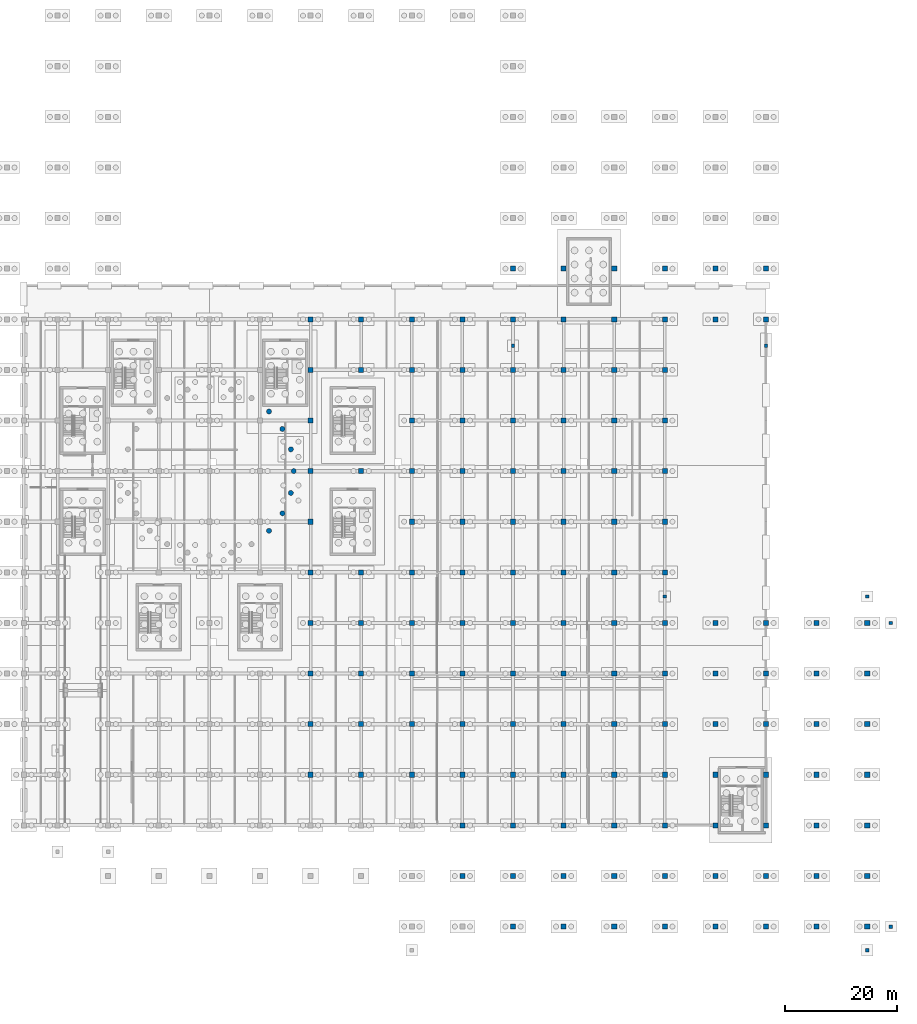
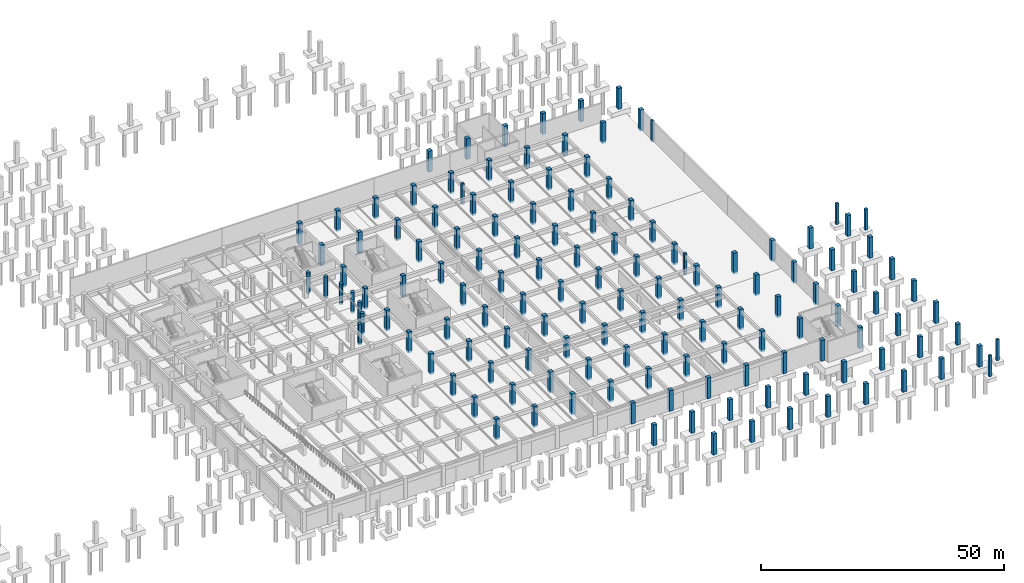
# One storey, part 11 of 27: 142 columns.
"""IFC4 building model written with IfcOpenShell, lengths in metres."""

from ifc_helpers import new_model, si_unit, direction, frame, origin, origin_2d, place, context, subcontext, project, spatial, rectangle, circle, extrude, material, material_profile, profile_set, type_object, element, save


model = new_model("IFC4")

# Units and contexts
model_context = context("Model", 3, precision=1e-05, world=origin(), true_north=direction((0.0, 1.0)))
body_context = subcontext(model_context, "Body", "Model", "MODEL_VIEW")
ifc_project = project(units=[si_unit("LENGTHUNIT", "METRE"), si_unit("AREAUNIT", "SQUARE_METRE"), si_unit("VOLUMEUNIT", "CUBIC_METRE"), si_unit("PLANEANGLEUNIT", "RADIAN"), si_unit("MASSUNIT", "GRAM", prefix="KILO")], contexts=[model_context])

# Site, building, storey
site_placement = place(None, origin())
site = spatial("IfcSite", under=ifc_project, at=site_placement, CompositionType="ELEMENT")
building_placement = place(site_placement, origin())
building = spatial("IfcBuilding", under=site, at=building_placement, Name="Dornveld Trade and Exhibition Forum", CompositionType="ELEMENT")
storey_placement = place(building_placement, frame((0.0, 0.0, -4.800048828125)))
storey = spatial("IfcBuildingStorey", under=building, at=storey_placement, Name="B1", CompositionType="ELEMENT", Elevation=-4.800048828125)

# Columns
ifc_material_1 = material(Name="Precast concrete C50/60", Category="concrete")
ifc_material_profile_1 = material_profile(ifc_material_1, circle(Radius=0.449951171875, at=origin_2d()), Name="PC-COL D900")
ifc_profile_set_1 = profile_set([ifc_material_profile_1], Name="Precast concrete C50/60")
column_type_1 = type_object("IfcColumnType", Name="COL-DISC-D900", PredefinedType="COLUMN", material=ifc_profile_set_1)
for number, where, z_axis, x_axis, name in (
    (1, (127.60693359375, 70.39306640625, -0.449951171875), (0.0, 0.0, 1.0), (1.0, 0.0, 0.0), "B1 column (127.6, 70.4)"),
    (2, (127.60693359375, 91.60693359375, -0.449951171875), (0.0, 0.0, 1.0), (1.0, 0.0, 0.0), "B1 column (127.6, 91.6)"),
    (3, (129.989990234375, 73.5, -0.449951171875), (0.0, 0.0, 1.0), (1.0, 0.0, 0.0), "B1 column (130.0, 73.5)"),
    (4, (129.989990234375, 88.5, -0.449951171875), (0.0, 0.0, 1.0), (1.0, 0.0, 0.0), "B1 column (130.0, 88.5)"),
    (5, (131.489013671875, 77.117919921875, -0.449951171875), (0.0, 0.0, 1.0), (1.0, 0.0, 0.0), "B1 column (131.5, 77.1)"),
    (6, (131.489013671875, 84.882080078125, -0.449951171875), (0.0, 0.0, 1.0), (1.0, 0.0, 0.0), "B1 column (131.5, 84.9)"),
    (7, (132.0, 81.0, -0.449951171875), (0.0, 0.0, 1.0), (1.0, 0.0, 0.0), "B1 column (132.0, 81.0)"),
):
    element("IfcColumn", number, at=place(storey_placement, frame(where, z_axis=z_axis, x_axis=x_axis)), inside=storey, type_object=column_type_1, Name=name, PredefinedType="COLUMN", context=body_context, shape_type="SweptSolid", body=[
        extrude(circle(Radius=0.449951171875, at=origin_2d()), origin(), (0.0, 0.0, 1.0), 5.25),
    ])
ifc_material_2 = material(Name="Precast concrete C50/60", Category="concrete")
ifc_material_profile_2 = material_profile(ifc_material_2, rectangle(XDim=0.60009765625, YDim=0.60009765625, at=origin_2d()), Name="PC-COL 600x600")
ifc_profile_set_2 = profile_set([ifc_material_profile_2], Name="Precast concrete C50/60")
column_type_2 = type_object("IfcColumnType", Name="COL-PC600", PredefinedType="COLUMN", material=ifc_profile_set_2)
for number, where, z_axis, x_axis, name in (
    (8, (234.0, -4.199951171875, -0.449951171875), (0.0, 0.0, 1.0), (1.0, 0.0, 0.0), "Paving edge support pier 8"),
    (9, (238.199951171875, 0.0, -0.449951171875), (0.0, 0.0, 1.0), (1.0, 0.0, 0.0), "Paving edge support pier 9"),
    (10, (238.199951171875, 54.0, -0.449951171875), (0.0, 0.0, 1.0), (1.0, 0.0, 0.0), "Paving edge support pier 10"),
    (11, (198.0, 58.699951171875, -0.449951171875), (0.0, 0.0, 1.0), (1.0, 0.0, 0.0), "Paving edge support pier 11"),
    (12, (234.0, 58.699951171875, -0.449951171875), (0.0, 0.0, 1.0), (1.0, 0.0, 0.0), "Paving edge support pier 12"),
    (13, (171.0, 103.300048828125, -0.449951171875), (0.0, 0.0, 1.0), (1.0, 0.0, 0.0), "Paving edge support pier 13"),
    (14, (216.0, 103.300048828125, -0.449951171875), (0.0, 0.0, 1.0), (1.0, 0.0, 0.0), "Paving edge support pier 14"),
):
    element("IfcColumn", number, at=place(storey_placement, frame(where, z_axis=z_axis, x_axis=x_axis)), inside=storey, type_object=column_type_2, Name=name, PredefinedType="COLUMN", context=body_context, shape_type="SweptSolid", body=[
        extrude(rectangle(XDim=0.60009765625, YDim=0.60009765625, at=origin_2d()), origin(), (0.0, 0.0, 1.0), 5.25),
    ])
ifc_material_3 = material(Name="Precast concrete C50/60", Category="concrete")
ifc_material_profile_3 = material_profile(ifc_material_3, rectangle(XDim=0.89990234375, YDim=0.89990234375, at=origin_2d()), Name="PC-COL 900x900")
ifc_profile_set_3 = profile_set([ifc_material_profile_3], Name="Precast concrete C50/60")
column_type_3 = type_object("IfcColumnType", Name="COL-PC900", PredefinedType="COLUMN", material=ifc_profile_set_3)
for number, where, z_axis, x_axis, name in (
    (15, (135.0, 27.0, -0.449951171875), (0.0, 0.0, 1.0), (1.0, 0.0, 0.0), "B1 column (135.0, 27.0)"),
    (16, (135.0, 36.0, -0.449951171875), (0.0, 0.0, 1.0), (1.0, 0.0, 0.0), "B1 column (135.0, 36.0)"),
    (17, (135.0, 45.0, -0.449951171875), (0.0, 0.0, 1.0), (1.0, 0.0, 0.0), "B1 column (135.0, 45.0)"),
    (18, (135.0, 54.0, -0.449951171875), (0.0, 0.0, 1.0), (1.0, 0.0, 0.0), "B1 column (135.0, 54.0)"),
    (19, (135.0, 63.0, -0.449951171875), (0.0, 0.0, 1.0), (1.0, 0.0, 0.0), "B1 column (135.0, 63.0)"),
    (20, (135.0, 72.0, -0.449951171875), (0.0, 0.0, 1.0), (1.0, 0.0, 0.0), "B1 column (135.0, 72.0)"),
    (21, (135.0, 81.0, -0.449951171875), (0.0, 0.0, 1.0), (1.0, 0.0, 0.0), "B1 column (135.0, 81.0)"),
    (22, (135.0, 90.0, -0.449951171875), (0.0, 0.0, 1.0), (1.0, 0.0, 0.0), "B1 column (135.0, 90.0)"),
    (23, (135.0, 99.0, -0.449951171875), (0.0, 0.0, 1.0), (1.0, 0.0, 0.0), "B1 column (135.0, 99.0)"),
    (24, (135.0, 108.0, -0.449951171875), (0.0, 0.0, 1.0), (1.0, 0.0, 0.0), "B1 column (135.0, 108.0)"),
    (25, (144.0, 27.0, -0.449951171875), (0.0, 0.0, 1.0), (1.0, 0.0, 0.0), "B1 column (144.0, 27.0)"),
    (26, (144.0, 36.0, -0.449951171875), (0.0, 0.0, 1.0), (1.0, 0.0, 0.0), "B1 column (144.0, 36.0)"),
    (27, (144.0, 45.0, -0.449951171875), (0.0, 0.0, 1.0), (1.0, 0.0, 0.0), "B1 column (144.0, 45.0)"),
    (28, (144.0, 54.0, -0.449951171875), (0.0, 0.0, 1.0), (1.0, 0.0, 0.0), "B1 column (144.0, 54.0)"),
    (29, (144.0, 63.0, -0.449951171875), (0.0, 0.0, 1.0), (1.0, 0.0, 0.0), "B1 column (144.0, 63.0)"),
    (30, (144.0, 81.0, -0.449951171875), (0.0, 0.0, 1.0), (1.0, 0.0, 0.0), "B1 column (144.0, 81.0)"),
    (31, (144.0, 99.0, -0.449951171875), (0.0, 0.0, 1.0), (1.0, 0.0, 0.0), "B1 column (144.0, 99.0)"),
    (32, (144.0, 108.0, -0.449951171875), (0.0, 0.0, 1.0), (1.0, 0.0, 0.0), "B1 column (144.0, 108.0)"),
    (33, (153.0, 27.0, -0.449951171875), (0.0, 0.0, 1.0), (1.0, 0.0, 0.0), "B1 column (153.0, 27.0)"),
    (34, (153.0, 36.0, -0.449951171875), (0.0, 0.0, 1.0), (1.0, 0.0, 0.0), "B1 column (153.0, 36.0)"),
    (35, (153.0, 45.0, -0.449951171875), (0.0, 0.0, 1.0), (1.0, 0.0, 0.0), "B1 column (153.0, 45.0)"),
    (36, (153.0, 54.0, -0.449951171875), (0.0, 0.0, 1.0), (1.0, 0.0, 0.0), "B1 column (153.0, 54.0)"),
    (37, (153.0, 63.0, -0.449951171875), (0.0, 0.0, 1.0), (1.0, 0.0, 0.0), "B1 column (153.0, 63.0)"),
    (38, (153.0, 72.0, -0.449951171875), (0.0, 0.0, 1.0), (1.0, 0.0, 0.0), "B1 column (153.0, 72.0)"),
    (39, (153.0, 81.0, -0.449951171875), (0.0, 0.0, 1.0), (1.0, 0.0, 0.0), "B1 column (153.0, 81.0)"),
    (40, (153.0, 90.0, -0.449951171875), (0.0, 0.0, 1.0), (1.0, 0.0, 0.0), "B1 column (153.0, 90.0)"),
    (41, (153.0, 99.0, -0.449951171875), (0.0, 0.0, 1.0), (1.0, 0.0, 0.0), "B1 column (153.0, 99.0)"),
    (42, (153.0, 108.0, -0.449951171875), (0.0, 0.0, 1.0), (1.0, 0.0, 0.0), "B1 column (153.0, 108.0)"),
    (43, (162.0, 9.0, -0.449951171875), (0.0, 0.0, 1.0), (1.0, 0.0, 0.0), "B1 column (162.0, 9.0)"),
    (44, (162.0, 18.0, -0.449951171875), (0.0, 0.0, 1.0), (1.0, 0.0, 0.0), "B1 column (162.0, 18.0)"),
    (45, (162.0, 27.0, -0.449951171875), (0.0, 0.0, 1.0), (1.0, 0.0, 0.0), "B1 column (162.0, 27.0)"),
    (46, (162.0, 36.0, -0.449951171875), (0.0, 0.0, 1.0), (1.0, 0.0, 0.0), "B1 column (162.0, 36.0)"),
    (47, (162.0, 45.0, -0.449951171875), (0.0, 0.0, 1.0), (1.0, 0.0, 0.0), "B1 column (162.0, 45.0)"),
    (48, (162.0, 54.0, -0.449951171875), (0.0, 0.0, 1.0), (1.0, 0.0, 0.0), "B1 column (162.0, 54.0)"),
    (49, (162.0, 63.0, -0.449951171875), (0.0, 0.0, 1.0), (1.0, 0.0, 0.0), "B1 column (162.0, 63.0)"),
    (50, (162.0, 72.0, -0.449951171875), (0.0, 0.0, 1.0), (1.0, 0.0, 0.0), "B1 column (162.0, 72.0)"),
    (51, (162.0, 81.0, -0.449951171875), (0.0, 0.0, 1.0), (1.0, 0.0, 0.0), "B1 column (162.0, 81.0)"),
    (52, (162.0, 90.0, -0.449951171875), (0.0, 0.0, 1.0), (1.0, 0.0, 0.0), "B1 column (162.0, 90.0)"),
    (53, (162.0, 99.0, -0.449951171875), (0.0, 0.0, 1.0), (1.0, 0.0, 0.0), "B1 column (162.0, 99.0)"),
    (54, (162.0, 108.0, -0.449951171875), (0.0, 0.0, 1.0), (1.0, 0.0, 0.0), "B1 column (162.0, 108.0)"),
    (55, (171.0, 0.0, -0.449951171875), (0.0, 0.0, 1.0), (1.0, 0.0, 0.0), "B1 column (171.0, 0.0)"),
    (56, (171.0, 9.0, -0.449951171875), (0.0, 0.0, 1.0), (1.0, 0.0, 0.0), "B1 column (171.0, 9.0)"),
    (57, (171.0, 18.0, -0.449951171875), (0.0, 0.0, 1.0), (1.0, 0.0, 0.0), "B1 column (171.0, 18.0)"),
    (58, (171.0, 27.0, -0.449951171875), (0.0, 0.0, 1.0), (1.0, 0.0, 0.0), "B1 column (171.0, 27.0)"),
    (59, (171.0, 36.0, -0.449951171875), (0.0, 0.0, 1.0), (1.0, 0.0, 0.0), "B1 column (171.0, 36.0)"),
    (60, (171.0, 45.0, -0.449951171875), (0.0, 0.0, 1.0), (1.0, 0.0, 0.0), "B1 column (171.0, 45.0)"),
    (61, (171.0, 54.0, -0.449951171875), (0.0, 0.0, 1.0), (1.0, 0.0, 0.0), "B1 column (171.0, 54.0)"),
    (62, (171.0, 63.0, -0.449951171875), (0.0, 0.0, 1.0), (1.0, 0.0, 0.0), "B1 column (171.0, 63.0)"),
    (63, (171.0, 72.0, -0.449951171875), (0.0, 0.0, 1.0), (1.0, 0.0, 0.0), "B1 column (171.0, 72.0)"),
    (64, (171.0, 81.0, -0.449951171875), (0.0, 0.0, 1.0), (1.0, 0.0, 0.0), "B1 column (171.0, 81.0)"),
    (65, (171.0, 90.0, -0.449951171875), (0.0, 0.0, 1.0), (1.0, 0.0, 0.0), "B1 column (171.0, 90.0)"),
    (66, (171.0, 99.0, -0.449951171875), (0.0, 0.0, 1.0), (1.0, 0.0, 0.0), "B1 column (171.0, 99.0)"),
    (67, (171.0, 108.0, -0.449951171875), (0.0, 0.0, 1.0), (1.0, 0.0, 0.0), "B1 column (171.0, 108.0)"),
    (68, (171.0, 117.0, -0.449951171875), (0.0, 0.0, 1.0), (1.0, 0.0, 0.0), "B1 column (171.0, 117.0)"),
    (69, (180.0, 0.0, -0.449951171875), (0.0, 0.0, 1.0), (1.0, 0.0, 0.0), "B1 column (180.0, 0.0)"),
    (70, (180.0, 9.0, -0.449951171875), (0.0, 0.0, 1.0), (1.0, 0.0, 0.0), "B1 column (180.0, 9.0)"),
    (71, (180.0, 18.0, -0.449951171875), (0.0, 0.0, 1.0), (1.0, 0.0, 0.0), "B1 column (180.0, 18.0)"),
    (72, (180.0, 27.0, -0.449951171875), (0.0, 0.0, 1.0), (1.0, 0.0, 0.0), "B1 column (180.0, 27.0)"),
    (73, (180.0, 36.0, -0.449951171875), (0.0, 0.0, 1.0), (1.0, 0.0, 0.0), "B1 column (180.0, 36.0)"),
    (74, (180.0, 45.0, -0.449951171875), (0.0, 0.0, 1.0), (1.0, 0.0, 0.0), "B1 column (180.0, 45.0)"),
    (75, (180.0, 54.0, -0.449951171875), (0.0, 0.0, 1.0), (1.0, 0.0, 0.0), "B1 column (180.0, 54.0)"),
    (76, (180.0, 63.0, -0.449951171875), (0.0, 0.0, 1.0), (1.0, 0.0, 0.0), "B1 column (180.0, 63.0)"),
    (77, (180.0, 72.0, -0.449951171875), (0.0, 0.0, 1.0), (1.0, 0.0, 0.0), "B1 column (180.0, 72.0)"),
    (78, (180.0, 81.0, -0.449951171875), (0.0, 0.0, 1.0), (1.0, 0.0, 0.0), "B1 column (180.0, 81.0)"),
    (79, (180.0, 90.0, -0.449951171875), (0.0, 0.0, 1.0), (1.0, 0.0, 0.0), "B1 column (180.0, 90.0)"),
    (80, (180.0, 99.0, -0.449951171875), (0.0, 0.0, 1.0), (1.0, 0.0, 0.0), "B1 column (180.0, 99.0)"),
    (81, (180.0, 108.0, -0.449951171875), (0.0, 0.0, 1.0), (1.0, 0.0, 0.0), "B1 column (180.0, 108.0)"),
    (82, (180.0, 117.0, -0.449951171875), (0.0, 0.0, 1.0), (1.0, 0.0, 0.0), "B1 column (180.0, 117.0)"),
    (83, (189.0, 0.0, -0.449951171875), (0.0, 0.0, 1.0), (1.0, 0.0, 0.0), "B1 column (189.0, 0.0)"),
    (84, (189.0, 9.0, -0.449951171875), (0.0, 0.0, 1.0), (1.0, 0.0, 0.0), "B1 column (189.0, 9.0)"),
    (85, (189.0, 18.0, -0.449951171875), (0.0, 0.0, 1.0), (1.0, 0.0, 0.0), "B1 column (189.0, 18.0)"),
    (86, (189.0, 27.0, -0.449951171875), (0.0, 0.0, 1.0), (1.0, 0.0, 0.0), "B1 column (189.0, 27.0)"),
    (87, (189.0, 36.0, -0.449951171875), (0.0, 0.0, 1.0), (1.0, 0.0, 0.0), "B1 column (189.0, 36.0)"),
    (88, (189.0, 45.0, -0.449951171875), (0.0, 0.0, 1.0), (1.0, 0.0, 0.0), "B1 column (189.0, 45.0)"),
    (89, (189.0, 54.0, -0.449951171875), (0.0, 0.0, 1.0), (1.0, 0.0, 0.0), "B1 column (189.0, 54.0)"),
    (90, (189.0, 63.0, -0.449951171875), (0.0, 0.0, 1.0), (1.0, 0.0, 0.0), "B1 column (189.0, 63.0)"),
    (91, (189.0, 72.0, -0.449951171875), (0.0, 0.0, 1.0), (1.0, 0.0, 0.0), "B1 column (189.0, 72.0)"),
    (92, (189.0, 81.0, -0.449951171875), (0.0, 0.0, 1.0), (1.0, 0.0, 0.0), "B1 column (189.0, 81.0)"),
    (93, (189.0, 90.0, -0.449951171875), (0.0, 0.0, 1.0), (1.0, 0.0, 0.0), "B1 column (189.0, 90.0)"),
    (94, (189.0, 99.0, -0.449951171875), (0.0, 0.0, 1.0), (1.0, 0.0, 0.0), "B1 column (189.0, 99.0)"),
    (95, (189.0, 108.0, -0.449951171875), (0.0, 0.0, 1.0), (1.0, 0.0, 0.0), "B1 column (189.0, 108.0)"),
    (96, (189.0, 117.0, -0.449951171875), (0.0, 0.0, 1.0), (1.0, 0.0, 0.0), "B1 column (189.0, 117.0)"),
    (97, (198.0, 0.0, -0.449951171875), (0.0, 0.0, 1.0), (1.0, 0.0, 0.0), "B1 column (198.0, 0.0)"),
    (98, (198.0, 9.0, -0.449951171875), (0.0, 0.0, 1.0), (1.0, 0.0, 0.0), "B1 column (198.0, 9.0)"),
    (99, (198.0, 18.0, -0.449951171875), (0.0, 0.0, 1.0), (1.0, 0.0, 0.0), "B1 column (198.0, 18.0)"),
    (100, (198.0, 27.0, -0.449951171875), (0.0, 0.0, 1.0), (1.0, 0.0, 0.0), "B1 column (198.0, 27.0)"),
    (101, (198.0, 36.0, -0.449951171875), (0.0, 0.0, 1.0), (1.0, 0.0, 0.0), "B1 column (198.0, 36.0)"),
    (102, (198.0, 45.0, -0.449951171875), (0.0, 0.0, 1.0), (1.0, 0.0, 0.0), "B1 column (198.0, 45.0)"),
    (103, (198.0, 54.0, -0.449951171875), (0.0, 0.0, 1.0), (1.0, 0.0, 0.0), "B1 column (198.0, 54.0)"),
    (104, (198.0, 63.0, -0.449951171875), (0.0, 0.0, 1.0), (1.0, 0.0, 0.0), "B1 column (198.0, 63.0)"),
    (105, (198.0, 72.0, -0.449951171875), (0.0, 0.0, 1.0), (1.0, 0.0, 0.0), "B1 column (198.0, 72.0)"),
    (106, (198.0, 81.0, -0.449951171875), (0.0, 0.0, 1.0), (1.0, 0.0, 0.0), "B1 column (198.0, 81.0)"),
    (107, (198.0, 90.0, -0.449951171875), (0.0, 0.0, 1.0), (1.0, 0.0, 0.0), "B1 column (198.0, 90.0)"),
    (108, (198.0, 99.0, -0.449951171875), (0.0, 0.0, 1.0), (1.0, 0.0, 0.0), "B1 column (198.0, 99.0)"),
    (109, (198.0, 108.0, -0.449951171875), (0.0, 0.0, 1.0), (1.0, 0.0, 0.0), "B1 column (198.0, 108.0)"),
    (110, (198.0, 117.0, -0.449951171875), (0.0, 0.0, 1.0), (1.0, 0.0, 0.0), "B1 column (198.0, 117.0)"),
    (111, (207.0, 0.0, -0.449951171875), (0.0, 0.0, 1.0), (1.0, 0.0, 0.0), "B1 column (207.0, 0.0)"),
    (112, (207.0, 9.0, -0.449951171875), (0.0, 0.0, 1.0), (1.0, 0.0, 0.0), "B1 column (207.0, 9.0)"),
    (113, (207.0, 18.0, -0.449951171875), (0.0, 0.0, 1.0), (1.0, 0.0, 0.0), "B1 column (207.0, 18.0)"),
    (114, (207.0, 27.0, -0.449951171875), (0.0, 0.0, 1.0), (1.0, 0.0, 0.0), "B1 column (207.0, 27.0)"),
    (115, (207.0, 36.0, -0.449951171875), (0.0, 0.0, 1.0), (1.0, 0.0, 0.0), "B1 column (207.0, 36.0)"),
    (116, (207.0, 45.0, -0.449951171875), (0.0, 0.0, 1.0), (1.0, 0.0, 0.0), "B1 column (207.0, 45.0)"),
    (117, (207.0, 54.0, -0.449951171875), (0.0, 0.0, 1.0), (1.0, 0.0, 0.0), "B1 column (207.0, 54.0)"),
    (118, (207.0, 108.0, -0.449951171875), (0.0, 0.0, 1.0), (1.0, 0.0, 0.0), "B1 column (207.0, 108.0)"),
    (119, (207.0, 117.0, -0.449951171875), (0.0, 0.0, 1.0), (1.0, 0.0, 0.0), "B1 column (207.0, 117.0)"),
    (120, (216.0, 0.0, -0.449951171875), (0.0, 0.0, 1.0), (1.0, 0.0, 0.0), "B1 column (216.0, 0.0)"),
    (121, (216.0, 9.0, -0.449951171875), (0.0, 0.0, 1.0), (1.0, 0.0, 0.0), "B1 column (216.0, 9.0)"),
    (122, (216.0, 18.0, -0.449951171875), (0.0, 0.0, 1.0), (1.0, 0.0, 0.0), "B1 column (216.0, 18.0)"),
    (123, (216.0, 27.0, -0.449951171875), (0.0, 0.0, 1.0), (1.0, 0.0, 0.0), "B1 column (216.0, 27.0)"),
    (124, (216.0, 36.0, -0.449951171875), (0.0, 0.0, 1.0), (1.0, 0.0, 0.0), "B1 column (216.0, 36.0)"),
    (125, (216.0, 45.0, -0.449951171875), (0.0, 0.0, 1.0), (1.0, 0.0, 0.0), "B1 column (216.0, 45.0)"),
    (126, (216.0, 54.0, -0.449951171875), (0.0, 0.0, 1.0), (1.0, 0.0, 0.0), "B1 column (216.0, 54.0)"),
    (127, (216.0, 108.0, -0.449951171875), (0.0, 0.0, 1.0), (1.0, 0.0, 0.0), "B1 column (216.0, 108.0)"),
    (128, (216.0, 117.0, -0.449951171875), (0.0, 0.0, 1.0), (1.0, 0.0, 0.0), "B1 column (216.0, 117.0)"),
    (129, (225.0, 0.0, -0.449951171875), (0.0, 0.0, 1.0), (1.0, 0.0, 0.0), "B1 column (225.0, 0.0)"),
    (130, (225.0, 9.0, -0.449951171875), (0.0, 0.0, 1.0), (1.0, 0.0, 0.0), "B1 column (225.0, 9.0)"),
    (131, (225.0, 18.0, -0.449951171875), (0.0, 0.0, 1.0), (1.0, 0.0, 0.0), "B1 column (225.0, 18.0)"),
    (132, (225.0, 27.0, -0.449951171875), (0.0, 0.0, 1.0), (1.0, 0.0, 0.0), "B1 column (225.0, 27.0)"),
    (133, (225.0, 36.0, -0.449951171875), (0.0, 0.0, 1.0), (1.0, 0.0, 0.0), "B1 column (225.0, 36.0)"),
    (134, (225.0, 45.0, -0.449951171875), (0.0, 0.0, 1.0), (1.0, 0.0, 0.0), "B1 column (225.0, 45.0)"),
    (135, (225.0, 54.0, -0.449951171875), (0.0, 0.0, 1.0), (1.0, 0.0, 0.0), "B1 column (225.0, 54.0)"),
    (136, (234.0, 0.0, -0.449951171875), (0.0, 0.0, 1.0), (1.0, 0.0, 0.0), "B1 column (234.0, 0.0)"),
    (137, (234.0, 9.0, -0.449951171875), (0.0, 0.0, 1.0), (1.0, 0.0, 0.0), "B1 column (234.0, 9.0)"),
    (138, (234.0, 18.0, -0.449951171875), (0.0, 0.0, 1.0), (1.0, 0.0, 0.0), "B1 column (234.0, 18.0)"),
    (139, (234.0, 27.0, -0.449951171875), (0.0, 0.0, 1.0), (1.0, 0.0, 0.0), "B1 column (234.0, 27.0)"),
    (140, (234.0, 36.0, -0.449951171875), (0.0, 0.0, 1.0), (1.0, 0.0, 0.0), "B1 column (234.0, 36.0)"),
    (141, (234.0, 45.0, -0.449951171875), (0.0, 0.0, 1.0), (1.0, 0.0, 0.0), "B1 column (234.0, 45.0)"),
    (142, (234.0, 54.0, -0.449951171875), (0.0, 0.0, 1.0), (1.0, 0.0, 0.0), "B1 column (234.0, 54.0)"),
):
    element("IfcColumn", number, at=place(storey_placement, frame(where, z_axis=z_axis, x_axis=x_axis)), inside=storey, type_object=column_type_3, Name=name, PredefinedType="COLUMN", context=body_context, shape_type="SweptSolid", body=[
        extrude(rectangle(XDim=0.89990234375, YDim=0.89990234375, at=origin_2d()), origin(), (0.0, 0.0, 1.0), 5.25),
    ])

save(model, "model.ifc")
